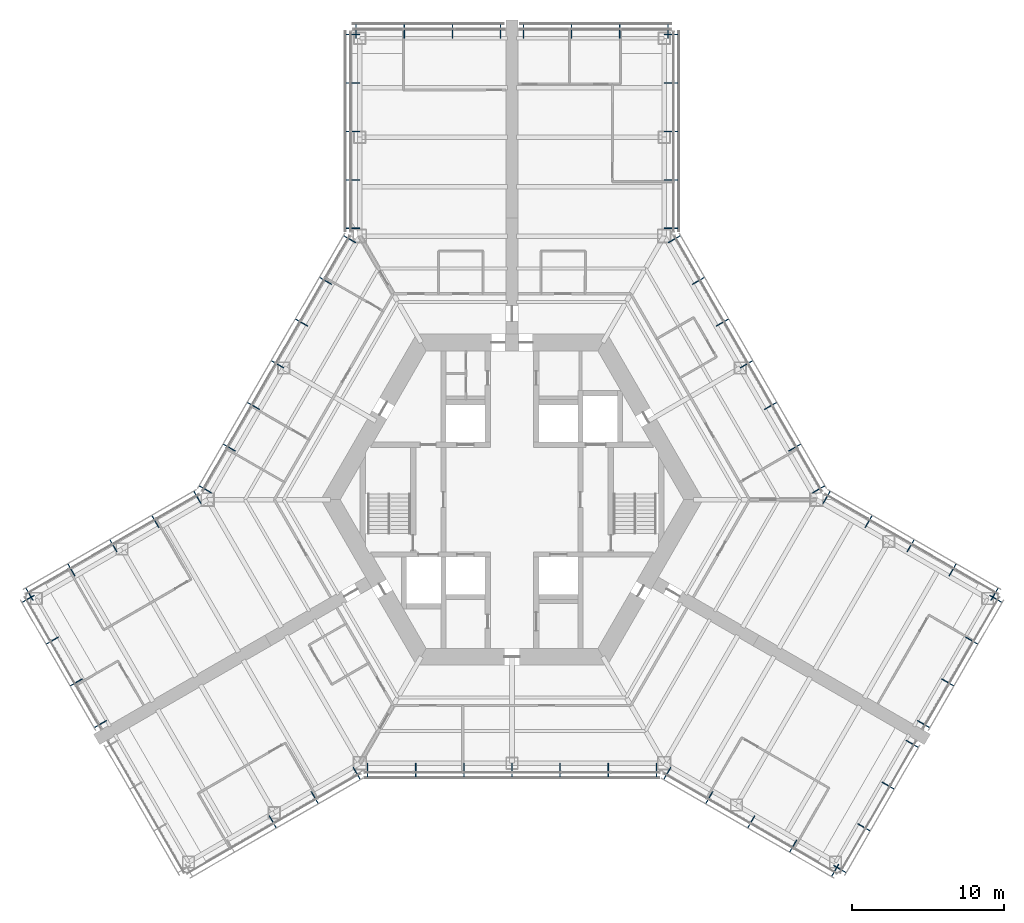
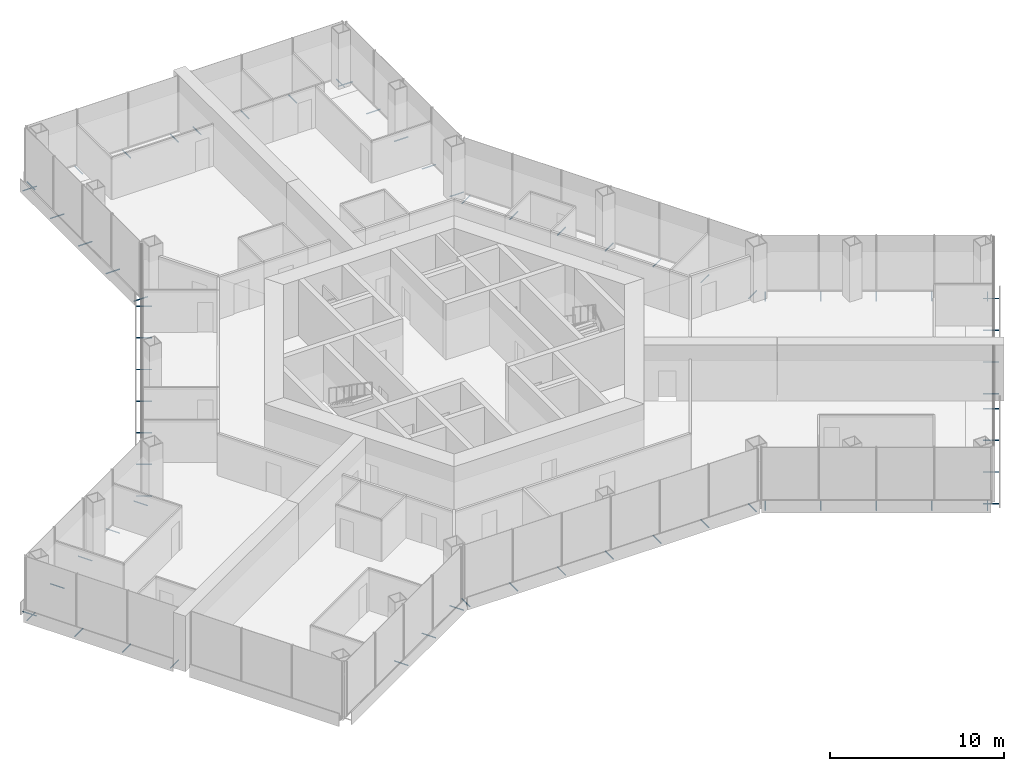
# One storey, part 16 of 18: 69 discrete accessories.
"""IFC4 building model written with IfcOpenShell, lengths in metres."""

from ifc_helpers import new_model, si_unit, direction, frame, origin, origin_2d, place, context, subcontext, project, spatial, hollow_circle, extrude, material, material_profile, profile_set, type_object, element, save


model = new_model("IFC4")

# Units and contexts
model_context = context("Model", 3, precision=1e-05, world=origin(), true_north=direction((0.0, 1.0)))
body_context = subcontext(model_context, "Body", "Model", "MODEL_VIEW")
ifc_project = project(units=[si_unit("LENGTHUNIT", "METRE"), si_unit("AREAUNIT", "SQUARE_METRE"), si_unit("VOLUMEUNIT", "CUBIC_METRE"), si_unit("PLANEANGLEUNIT", "RADIAN"), si_unit("MASSUNIT", "GRAM", prefix="KILO")], contexts=[model_context])

# Site, building, storey
site_placement = place(None, origin())
site = spatial("IfcSite", under=ifc_project, at=site_placement, CompositionType="ELEMENT")
building_placement = place(site_placement, origin())
building = spatial("IfcBuilding", under=site, at=building_placement, Name="Kasaneha Research Tower", CompositionType="ELEMENT")
storey_placement = place(building_placement, frame((0.0, 0.0, 76.800048828125)))
storey = spatial("IfcBuildingStorey", under=building, at=storey_placement, Name="L19", CompositionType="ELEMENT", Elevation=76.800048828125)

# Discrete accessories
ifc_material = material(Name="Steel STK400", Category="steel")
ifc_material_profile = material_profile(ifc_material, hollow_circle(Radius=0.0380859375, WallThickness=0.00390625, at=origin_2d()), Name="CHS-76.3x4.0")
ifc_profile_set = profile_set([ifc_material_profile], Name="Steel STK400")
discrete_accessory_type = type_object("IfcDiscreteAccessoryType", Name="Screen bracket CHS-76.3x4.0", PredefinedType="BRACKET", material=ifc_profile_set)
discrete_accessory_1_placement = place(storey_placement, frame((-15.95849609375, -20.7607421875, -0.300048828125), z_axis=(0.500021113727, -0.866013213425, 0.0), x_axis=(0.866013213425, 0.500021113727, 0.0)))
element("IfcDiscreteAccessory", 1, at=discrete_accessory_1_placement, inside=storey, type_object=discrete_accessory_type, Name="Screen bracket 3", PredefinedType="BRACKET", context=body_context, shape_type="SweptSolid", body=[
    extrude(hollow_circle(Radius=0.0380859375, WallThickness=0.00390625, at=origin_2d()), origin(), (0.0, 0.0, 1.0), 0.919921875),
])
discrete_accessory_2_placement = place(storey_placement, frame((-13.200439453125, -19.168212890625, -0.300048828125), z_axis=(0.499906209203, -0.866079547155, 0.0), x_axis=(0.866079547155, 0.499906209203, 0.0)))
element("IfcDiscreteAccessory", 2, at=discrete_accessory_2_placement, inside=storey, type_object=discrete_accessory_type, Name="Screen bracket 4", PredefinedType="BRACKET", context=body_context, shape_type="SweptSolid", body=[
    extrude(hollow_circle(Radius=0.0380859375, WallThickness=0.00390625, at=origin_2d()), origin(), (0.0, 0.0, 1.0), 0.920166015625),
])
for number, where, z_axis, x_axis, name in (
    (3, (-10.4423828125, -17.575927734375, -0.300048828125), (0.500021113727, -0.866013213425, 0.0), (0.866013213425, 0.500021113727, 0.0), "Screen bracket 5"),
    (4, (-9.4892578125, -17.320556640625, -0.300048828125), (0.0, -1.0, 0.0), (1.0, 0.0, 0.0), "Screen bracket 1"),
    (5, (-6.326171875, -17.320556640625, -0.300048828125), (0.0, -1.0, 0.0), (1.0, 0.0, 0.0), "Screen bracket 2"),
    (6, (-3.1630859375, -17.320556640625, -0.300048828125), (0.0, -1.0, 0.0), (1.0, 0.0, 0.0), "Screen bracket 3"),
    (7, (0.0, -17.320556640625, -0.300048828125), (0.0, -1.0, 0.0), (1.0, 0.0, 0.0), "Screen bracket 4"),
    (8, (3.1630859375, -17.320556640625, -0.300048828125), (0.0, -1.0, 0.0), (1.0, 0.0, 0.0), "Screen bracket 5"),
    (9, (6.326171875, -17.320556640625, -0.300048828125), (0.0, -1.0, 0.0), (1.0, 0.0, 0.0), "Screen bracket 6"),
    (10, (9.4892578125, -17.320556640625, -0.300048828125), (0.0, -1.0, 0.0), (1.0, 0.0, 0.0), "Screen bracket 7"),
    (11, (10.4423828125, -17.575927734375, -0.300048828125), (-0.500021113727, -0.866013213425, 0.0), (0.866013213425, -0.500021113727, 0.0), "Screen bracket 1"),
):
    element("IfcDiscreteAccessory", number, at=place(storey_placement, frame(where, z_axis=z_axis, x_axis=x_axis)), inside=storey, type_object=discrete_accessory_type, Name=name, PredefinedType="BRACKET", context=body_context, shape_type="SweptSolid", body=[
        extrude(hollow_circle(Radius=0.0380859375, WallThickness=0.00390625, at=origin_2d()), origin(), (0.0, 0.0, 1.0), 0.919921875),
    ])
discrete_accessory_3_placement = place(storey_placement, frame((13.200439453125, -19.168212890625, -0.300048828125), z_axis=(-0.499906209203, -0.866079547155, 0.0), x_axis=(0.866079547155, -0.499906209203, 0.0)))
element("IfcDiscreteAccessory", 12, at=discrete_accessory_3_placement, inside=storey, type_object=discrete_accessory_type, Name="Screen bracket 2", PredefinedType="BRACKET", context=body_context, shape_type="SweptSolid", body=[
    extrude(hollow_circle(Radius=0.0380859375, WallThickness=0.00390625, at=origin_2d()), origin(), (0.0, 0.0, 1.0), 0.920166015625),
])
discrete_accessory_4_placement = place(storey_placement, frame((15.95849609375, -20.7607421875, -0.300048828125), z_axis=(-0.500021113727, -0.866013213425, 0.0), x_axis=(0.866013213425, -0.500021113727, 0.0)))
element("IfcDiscreteAccessory", 13, at=discrete_accessory_4_placement, inside=storey, type_object=discrete_accessory_type, Name="Screen bracket 3", PredefinedType="BRACKET", context=body_context, shape_type="SweptSolid", body=[
    extrude(hollow_circle(Radius=0.0380859375, WallThickness=0.00390625, at=origin_2d()), origin(), (0.0, 0.0, 1.0), 0.919921875),
])
discrete_accessory_5_placement = place(storey_placement, frame((18.716796875, -22.35302734375, -0.300048828125), z_axis=(-0.500105201737, -0.865964657013, 0.0), x_axis=(0.865964657013, -0.500105201737, 0.0)))
element("IfcDiscreteAccessory", 14, at=discrete_accessory_5_placement, inside=storey, type_object=discrete_accessory_type, Name="Screen bracket 4", PredefinedType="BRACKET", context=body_context, shape_type="SweptSolid", body=[
    extrude(hollow_circle(Radius=0.0380859375, WallThickness=0.00390625, at=origin_2d()), origin(), (0.0, 0.0, 1.0), 0.920166015625),
])
discrete_accessory_6_placement = place(storey_placement, frame((21.474853515625, -23.945556640625, -0.300048828125), z_axis=(-0.500021113727, -0.866013213425, 0.0), x_axis=(0.866013213425, -0.500021113727, 0.0)))
element("IfcDiscreteAccessory", 15, at=discrete_accessory_6_placement, inside=storey, type_object=discrete_accessory_type, Name="Screen bracket 5", PredefinedType="BRACKET", context=body_context, shape_type="SweptSolid", body=[
    extrude(hollow_circle(Radius=0.0380859375, WallThickness=0.00390625, at=origin_2d()), origin(), (0.0, 0.0, 1.0), 0.919921875),
])
for number, where, z_axis, x_axis, name in (
    (16, (21.13330078125, -24.037109375, -0.300048828125), (0.866079547155, -0.499906209203, 0.0), (0.499906209203, 0.866079547155, 0.0), "Screen bracket 1"),
    (17, (22.716552734375, -21.294677734375, -0.300048828125), (0.866079547155, -0.499906209203, 0.0), (0.499906209203, 0.866079547155, 0.0), "Screen bracket 2"),
):
    element("IfcDiscreteAccessory", number, at=place(storey_placement, frame(where, z_axis=z_axis, x_axis=x_axis)), inside=storey, type_object=discrete_accessory_type, Name=name, PredefinedType="BRACKET", context=body_context, shape_type="SweptSolid", body=[
        extrude(hollow_circle(Radius=0.0380859375, WallThickness=0.00390625, at=origin_2d()), origin(), (0.0, 0.0, 1.0), 0.920166015625),
    ])
discrete_accessory_7_placement = place(storey_placement, frame((24.300048828125, -18.55224609375, -0.300048828125), z_axis=(0.866013213425, -0.500021113727, 0.0), x_axis=(0.500021113727, 0.866013213425, 0.0)))
element("IfcDiscreteAccessory", 18, at=discrete_accessory_7_placement, inside=storey, type_object=discrete_accessory_type, Name="Screen bracket 3", PredefinedType="BRACKET", context=body_context, shape_type="SweptSolid", body=[
    extrude(hollow_circle(Radius=0.0380859375, WallThickness=0.00390625, at=origin_2d()), origin(), (0.0, 0.0, 1.0), 0.919921875),
])
for number, where, z_axis, x_axis, name in (
    (19, (25.88330078125, -15.809814453125, -0.300048828125), (0.866079547155, -0.499906209203, 0.0), (0.499906209203, 0.866079547155, 0.0), "Screen bracket 4"),
    (20, (26.63330078125, -14.5107421875, -0.300048828125), (0.866079547155, -0.499906209203, 0.0), (0.499906209203, 0.866079547155, 0.0), "Screen bracket 1"),
    (21, (28.216552734375, -11.768310546875, -0.300048828125), (0.866079547155, -0.499906209203, 0.0), (0.499906209203, 0.866079547155, 0.0), "Screen bracket 2"),
):
    element("IfcDiscreteAccessory", number, at=place(storey_placement, frame(where, z_axis=z_axis, x_axis=x_axis)), inside=storey, type_object=discrete_accessory_type, Name=name, PredefinedType="BRACKET", context=body_context, shape_type="SweptSolid", body=[
        extrude(hollow_circle(Radius=0.0380859375, WallThickness=0.00390625, at=origin_2d()), origin(), (0.0, 0.0, 1.0), 0.920166015625),
    ])
discrete_accessory_8_placement = place(storey_placement, frame((29.800048828125, -9.02587890625, -0.300048828125), z_axis=(0.866013213425, -0.500021113727, 0.0), x_axis=(0.500021113727, 0.866013213425, 0.0)))
element("IfcDiscreteAccessory", 22, at=discrete_accessory_8_placement, inside=storey, type_object=discrete_accessory_type, Name="Screen bracket 3", PredefinedType="BRACKET", context=body_context, shape_type="SweptSolid", body=[
    extrude(hollow_circle(Radius=0.0380859375, WallThickness=0.00390625, at=origin_2d()), origin(), (0.0, 0.0, 1.0), 0.919921875),
])
discrete_accessory_9_placement = place(storey_placement, frame((31.38330078125, -6.283447265625, -0.300048828125), z_axis=(0.866079547155, -0.499906209203, 0.0), x_axis=(0.499906209203, 0.866079547155, 0.0)))
element("IfcDiscreteAccessory", 23, at=discrete_accessory_9_placement, inside=storey, type_object=discrete_accessory_type, Name="Screen bracket 4", PredefinedType="BRACKET", context=body_context, shape_type="SweptSolid", body=[
    extrude(hollow_circle(Radius=0.0380859375, WallThickness=0.00390625, at=origin_2d()), origin(), (0.0, 0.0, 1.0), 0.920166015625),
])
discrete_accessory_10_placement = place(storey_placement, frame((31.474853515625, -6.625, -0.300048828125), z_axis=(0.500021113727, 0.866013213425, 0.0), x_axis=(-0.866013213425, 0.500021113727, 0.0)))
element("IfcDiscreteAccessory", 24, at=discrete_accessory_10_placement, inside=storey, type_object=discrete_accessory_type, Name="Screen bracket 1", PredefinedType="BRACKET", context=body_context, shape_type="SweptSolid", body=[
    extrude(hollow_circle(Radius=0.0380859375, WallThickness=0.00390625, at=origin_2d()), origin(), (0.0, 0.0, 1.0), 0.919921875),
])
discrete_accessory_11_placement = place(storey_placement, frame((28.716796875, -5.03271484375, -0.300048828125), z_axis=(0.499906209203, 0.866079547155, 0.0), x_axis=(-0.866079547155, 0.499906209203, 0.0)))
element("IfcDiscreteAccessory", 25, at=discrete_accessory_11_placement, inside=storey, type_object=discrete_accessory_type, Name="Screen bracket 2", PredefinedType="BRACKET", context=body_context, shape_type="SweptSolid", body=[
    extrude(hollow_circle(Radius=0.0380859375, WallThickness=0.00390625, at=origin_2d()), origin(), (0.0, 0.0, 1.0), 0.920166015625),
])
discrete_accessory_12_placement = place(storey_placement, frame((25.95849609375, -3.440185546875, -0.300048828125), z_axis=(0.500220121494, 0.865898279276, 0.0), x_axis=(-0.865898279276, 0.500220121494, 0.0)))
element("IfcDiscreteAccessory", 26, at=discrete_accessory_12_placement, inside=storey, type_object=discrete_accessory_type, Name="Screen bracket 3", PredefinedType="BRACKET", context=body_context, shape_type="SweptSolid", body=[
    extrude(hollow_circle(Radius=0.0380859375, WallThickness=0.00390625, at=origin_2d()), origin(), (0.0, 0.0, 1.0), 0.919921875),
])
discrete_accessory_13_placement = place(storey_placement, frame((23.200439453125, -1.847900390625, -0.300048828125), z_axis=(0.499906209203, 0.866079547155, 0.0), x_axis=(-0.866079547155, 0.499906209203, 0.0)))
element("IfcDiscreteAccessory", 27, at=discrete_accessory_13_placement, inside=storey, type_object=discrete_accessory_type, Name="Screen bracket 4", PredefinedType="BRACKET", context=body_context, shape_type="SweptSolid", body=[
    extrude(hollow_circle(Radius=0.0380859375, WallThickness=0.00390625, at=origin_2d()), origin(), (0.0, 0.0, 1.0), 0.920166015625),
])
for number, where, z_axis, x_axis, name in (
    (28, (20.4423828125, -0.25537109375, -0.300048828125), (0.500021113727, 0.866013213425, 0.0), (-0.866013213425, 0.500021113727, 0.0), "Screen bracket 5"),
    (29, (19.74462890625, 0.4423828125, -0.300048828125), (0.866013213425, 0.500021113727, 0.0), (-0.500021113727, 0.866013213425, 0.0), "Screen bracket 1"),
    (30, (18.1630859375, 3.181640625, -0.300048828125), (0.866013213425, 0.500021113727, 0.0), (-0.500021113727, 0.866013213425, 0.0), "Screen bracket 2"),
    (31, (16.58154296875, 5.9208984375, -0.300048828125), (0.866013213425, 0.500021113727, 0.0), (-0.500021113727, 0.866013213425, 0.0), "Screen bracket 3"),
    (32, (15.0, 8.66015625, -0.300048828125), (0.865898279276, 0.500220121494, 0.0), (-0.500220121494, 0.865898279276, 0.0), "Screen bracket 4"),
    (33, (13.41845703125, 11.399658203125, -0.300048828125), (0.866013213425, 0.500021113727, 0.0), (-0.500021113727, 0.866013213425, 0.0), "Screen bracket 5"),
    (34, (11.8369140625, 14.138916015625, -0.300048828125), (0.866013213425, 0.500021113727, 0.0), (-0.500021113727, 0.866013213425, 0.0), "Screen bracket 6"),
):
    element("IfcDiscreteAccessory", number, at=place(storey_placement, frame(where, z_axis=z_axis, x_axis=x_axis)), inside=storey, type_object=discrete_accessory_type, Name=name, PredefinedType="BRACKET", context=body_context, shape_type="SweptSolid", body=[
        extrude(hollow_circle(Radius=0.0380859375, WallThickness=0.00390625, at=origin_2d()), origin(), (0.0, 0.0, 1.0), 0.919921875),
    ])
discrete_accessory_14_placement = place(storey_placement, frame((10.25537109375, 16.878173828125, -0.300048828125), z_axis=(0.866079547155, 0.499906209203, 0.0), x_axis=(-0.499906209203, 0.866079547155, 0.0)))
element("IfcDiscreteAccessory", 35, at=discrete_accessory_14_placement, inside=storey, type_object=discrete_accessory_type, Name="Screen bracket 7", PredefinedType="BRACKET", context=body_context, shape_type="SweptSolid", body=[
    extrude(hollow_circle(Radius=0.0380859375, WallThickness=0.00390625, at=origin_2d()), origin(), (0.0, 0.0, 1.0), 0.920166015625),
])
for number, where, z_axis, x_axis, name in (
    (36, (10.0, 17.831298828125, -0.300048828125), (1.0, 0.0, 0.0), (0.0, 1.0, 0.0), "Screen bracket 1"),
    (37, (10.0, 21.01611328125, -0.300048828125), (1.0, 0.0, 0.0), (0.0, 1.0, 0.0), "Screen bracket 2"),
    (38, (10.0, 24.200927734375, -0.300048828125), (1.0, 0.0, 0.0), (0.0, 1.0, 0.0), "Screen bracket 3"),
    (39, (10.0, 27.3857421875, -0.300048828125), (1.0, 0.0, 0.0), (0.0, 1.0, 0.0), "Screen bracket 4"),
    (40, (10.0, 30.570556640625, -0.300048828125), (1.0, 0.0, 0.0), (0.0, 1.0, 0.0), "Screen bracket 5"),
    (41, (10.25, 30.320556640625, -0.300048828125), (0.0, 1.0, 0.0), (-1.0, 0.0, 0.0), "Screen bracket 1"),
    (42, (7.083251953125, 30.320556640625, -0.300048828125), (0.0, 1.0, 0.0), (-1.0, 0.0, 0.0), "Screen bracket 2"),
    (43, (3.916748046875, 30.320556640625, -0.300048828125), (0.0, 1.0, 0.0), (-1.0, 0.0, 0.0), "Screen bracket 3"),
    (44, (0.75, 30.320556640625, -0.300048828125), (0.0, 1.0, 0.0), (-1.0, 0.0, 0.0), "Screen bracket 4"),
    (45, (-0.75, 30.320556640625, -0.300048828125), (0.0, 1.0, 0.0), (-1.0, 0.0, 0.0), "Screen bracket 1"),
    (46, (-3.916748046875, 30.320556640625, -0.300048828125), (0.0, 1.0, 0.0), (-1.0, 0.0, 0.0), "Screen bracket 2"),
    (47, (-7.083251953125, 30.320556640625, -0.300048828125), (0.0, 1.0, 0.0), (-1.0, 0.0, 0.0), "Screen bracket 3"),
    (48, (-10.25, 30.320556640625, -0.300048828125), (0.0, 1.0, 0.0), (-1.0, 0.0, 0.0), "Screen bracket 4"),
    (49, (-10.0, 30.570556640625, -0.300048828125), (-1.0, 0.0, 0.0), (0.0, -1.0, 0.0), "Screen bracket 1"),
    (50, (-10.0, 27.3857421875, -0.300048828125), (-1.0, 0.0, 0.0), (0.0, -1.0, 0.0), "Screen bracket 2"),
    (51, (-10.0, 24.200927734375, -0.300048828125), (-1.0, 0.0, 0.0), (0.0, -1.0, 0.0), "Screen bracket 3"),
    (52, (-10.0, 21.01611328125, -0.300048828125), (-1.0, 0.0, 0.0), (0.0, -1.0, 0.0), "Screen bracket 4"),
    (53, (-10.0, 17.831298828125, -0.300048828125), (-1.0, 0.0, 0.0), (0.0, -1.0, 0.0), "Screen bracket 5"),
):
    element("IfcDiscreteAccessory", number, at=place(storey_placement, frame(where, z_axis=z_axis, x_axis=x_axis)), inside=storey, type_object=discrete_accessory_type, Name=name, PredefinedType="BRACKET", context=body_context, shape_type="SweptSolid", body=[
        extrude(hollow_circle(Radius=0.0380859375, WallThickness=0.00390625, at=origin_2d()), origin(), (0.0, 0.0, 1.0), 0.919921875),
    ])
discrete_accessory_15_placement = place(storey_placement, frame((-10.25537109375, 16.878173828125, -0.300048828125), z_axis=(-0.866079547155, 0.499906209203, 0.0), x_axis=(-0.499906209203, -0.866079547155, 0.0)))
element("IfcDiscreteAccessory", 54, at=discrete_accessory_15_placement, inside=storey, type_object=discrete_accessory_type, Name="Screen bracket 1", PredefinedType="BRACKET", context=body_context, shape_type="SweptSolid", body=[
    extrude(hollow_circle(Radius=0.0380859375, WallThickness=0.00390625, at=origin_2d()), origin(), (0.0, 0.0, 1.0), 0.920166015625),
])
for number, where, z_axis, x_axis, name in (
    (55, (-11.8369140625, 14.138916015625, -0.300048828125), (-0.866013213425, 0.500021113727, 0.0), (-0.500021113727, -0.866013213425, 0.0), "Screen bracket 2"),
    (56, (-13.41845703125, 11.399658203125, -0.300048828125), (-0.866013213425, 0.500021113727, 0.0), (-0.500021113727, -0.866013213425, 0.0), "Screen bracket 3"),
    (57, (-15.0, 8.66015625, -0.300048828125), (-0.865898279276, 0.500220121494, 0.0), (-0.500220121494, -0.865898279276, 0.0), "Screen bracket 4"),
    (58, (-16.58154296875, 5.9208984375, -0.300048828125), (-0.866013213425, 0.500021113727, 0.0), (-0.500021113727, -0.866013213425, 0.0), "Screen bracket 5"),
    (59, (-18.1630859375, 3.181640625, -0.300048828125), (-0.866013213425, 0.500021113727, 0.0), (-0.500021113727, -0.866013213425, 0.0), "Screen bracket 6"),
    (60, (-19.74462890625, 0.4423828125, -0.300048828125), (-0.866013213425, 0.500021113727, 0.0), (-0.500021113727, -0.866013213425, 0.0), "Screen bracket 7"),
    (61, (-20.4423828125, -0.25537109375, -0.300048828125), (-0.500021113727, 0.866013213425, 0.0), (-0.866013213425, -0.500021113727, 0.0), "Screen bracket 1"),
):
    element("IfcDiscreteAccessory", number, at=place(storey_placement, frame(where, z_axis=z_axis, x_axis=x_axis)), inside=storey, type_object=discrete_accessory_type, Name=name, PredefinedType="BRACKET", context=body_context, shape_type="SweptSolid", body=[
        extrude(hollow_circle(Radius=0.0380859375, WallThickness=0.00390625, at=origin_2d()), origin(), (0.0, 0.0, 1.0), 0.919921875),
    ])
discrete_accessory_16_placement = place(storey_placement, frame((-23.200439453125, -1.847900390625, -0.300048828125), z_axis=(-0.499906209203, 0.866079547155, 0.0), x_axis=(-0.866079547155, -0.499906209203, 0.0)))
element("IfcDiscreteAccessory", 62, at=discrete_accessory_16_placement, inside=storey, type_object=discrete_accessory_type, Name="Screen bracket 2", PredefinedType="BRACKET", context=body_context, shape_type="SweptSolid", body=[
    extrude(hollow_circle(Radius=0.0380859375, WallThickness=0.00390625, at=origin_2d()), origin(), (0.0, 0.0, 1.0), 0.920166015625),
])
discrete_accessory_17_placement = place(storey_placement, frame((-25.95849609375, -3.440185546875, -0.300048828125), z_axis=(-0.500220121494, 0.865898279276, 0.0), x_axis=(-0.865898279276, -0.500220121494, 0.0)))
element("IfcDiscreteAccessory", 63, at=discrete_accessory_17_placement, inside=storey, type_object=discrete_accessory_type, Name="Screen bracket 3", PredefinedType="BRACKET", context=body_context, shape_type="SweptSolid", body=[
    extrude(hollow_circle(Radius=0.0380859375, WallThickness=0.00390625, at=origin_2d()), origin(), (0.0, 0.0, 1.0), 0.919921875),
])
discrete_accessory_18_placement = place(storey_placement, frame((-28.716796875, -5.03271484375, -0.300048828125), z_axis=(-0.499906209203, 0.866079547155, 0.0), x_axis=(-0.866079547155, -0.499906209203, 0.0)))
element("IfcDiscreteAccessory", 64, at=discrete_accessory_18_placement, inside=storey, type_object=discrete_accessory_type, Name="Screen bracket 4", PredefinedType="BRACKET", context=body_context, shape_type="SweptSolid", body=[
    extrude(hollow_circle(Radius=0.0380859375, WallThickness=0.00390625, at=origin_2d()), origin(), (0.0, 0.0, 1.0), 0.920166015625),
])
discrete_accessory_19_placement = place(storey_placement, frame((-31.474853515625, -6.625, -0.300048828125), z_axis=(-0.500021113727, 0.866013213425, 0.0), x_axis=(-0.866013213425, -0.500021113727, 0.0)))
element("IfcDiscreteAccessory", 65, at=discrete_accessory_19_placement, inside=storey, type_object=discrete_accessory_type, Name="Screen bracket 5", PredefinedType="BRACKET", context=body_context, shape_type="SweptSolid", body=[
    extrude(hollow_circle(Radius=0.0380859375, WallThickness=0.00390625, at=origin_2d()), origin(), (0.0, 0.0, 1.0), 0.919921875),
])
discrete_accessory_20_placement = place(storey_placement, frame((-31.38330078125, -6.283447265625, -0.300048828125), z_axis=(-0.866079547155, -0.499906209203, 0.0), x_axis=(0.499906209203, -0.866079547155, 0.0)))
element("IfcDiscreteAccessory", 66, at=discrete_accessory_20_placement, inside=storey, type_object=discrete_accessory_type, Name="Screen bracket 1", PredefinedType="BRACKET", context=body_context, shape_type="SweptSolid", body=[
    extrude(hollow_circle(Radius=0.0380859375, WallThickness=0.00390625, at=origin_2d()), origin(), (0.0, 0.0, 1.0), 0.920166015625),
])
discrete_accessory_21_placement = place(storey_placement, frame((-29.800048828125, -9.02587890625, -0.300048828125), z_axis=(-0.866013213425, -0.500021113727, 0.0), x_axis=(0.500021113727, -0.866013213425, 0.0)))
element("IfcDiscreteAccessory", 67, at=discrete_accessory_21_placement, inside=storey, type_object=discrete_accessory_type, Name="Screen bracket 2", PredefinedType="BRACKET", context=body_context, shape_type="SweptSolid", body=[
    extrude(hollow_circle(Radius=0.0380859375, WallThickness=0.00390625, at=origin_2d()), origin(), (0.0, 0.0, 1.0), 0.919921875),
])
for number, where, z_axis, x_axis, name in (
    (68, (-28.216552734375, -11.768310546875, -0.300048828125), (-0.866079547155, -0.499906209203, 0.0), (0.499906209203, -0.866079547155, 0.0), "Screen bracket 3"),
    (69, (-26.63330078125, -14.5107421875, -0.300048828125), (-0.866079547155, -0.499906209203, 0.0), (0.499906209203, -0.866079547155, 0.0), "Screen bracket 4"),
):
    element("IfcDiscreteAccessory", number, at=place(storey_placement, frame(where, z_axis=z_axis, x_axis=x_axis)), inside=storey, type_object=discrete_accessory_type, Name=name, PredefinedType="BRACKET", context=body_context, shape_type="SweptSolid", body=[
        extrude(hollow_circle(Radius=0.0380859375, WallThickness=0.00390625, at=origin_2d()), origin(), (0.0, 0.0, 1.0), 0.920166015625),
    ])

save(model, "model.ifc")
